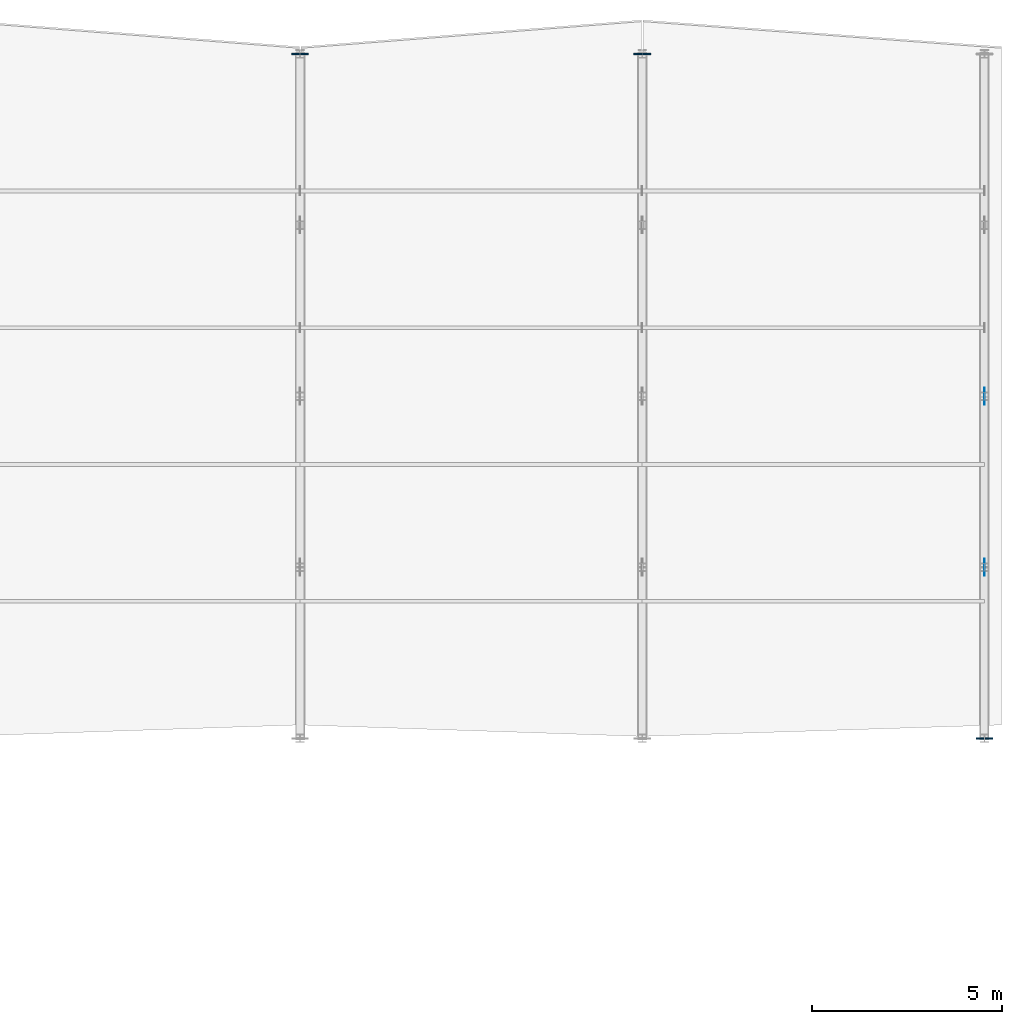
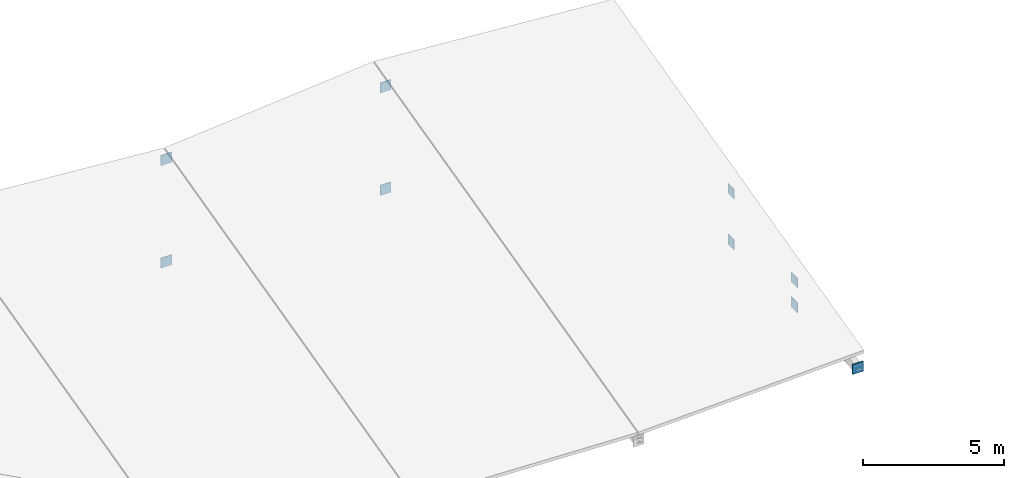
# One storey, part 27 of 36: 9 plates.
"""IFC4 building model written with IfcOpenShell, lengths in metres."""

from ifc_helpers import new_model, si_unit, direction, frame, origin, origin_2d, place, context, subcontext, project, spatial, rectangle, extrude, material, layer, layer_set, type_object, element, save


model = new_model("IFC4")

# Units and contexts
model_context = context("Model", 3, precision=1e-05, world=origin(), true_north=direction((0.0, 1.0)))
body_context = subcontext(model_context, "Body", "Model", "MODEL_VIEW")
ifc_project = project(units=[si_unit("LENGTHUNIT", "METRE"), si_unit("AREAUNIT", "SQUARE_METRE"), si_unit("VOLUMEUNIT", "CUBIC_METRE"), si_unit("PLANEANGLEUNIT", "RADIAN"), si_unit("MASSUNIT", "GRAM", prefix="KILO")], contexts=[model_context])

# Site, building, storey
site_placement = place(None, origin())
site = spatial("IfcSite", under=ifc_project, at=site_placement, CompositionType="ELEMENT")
building_placement = place(site_placement, origin())
building = spatial("IfcBuilding", under=site, at=building_placement, Name="Montelvaro Courts of Justice", CompositionType="ELEMENT")
storey_placement = place(building_placement, frame((0.0, 0.0, 23.39990234375)))
storey = spatial("IfcBuildingStorey", under=building, at=storey_placement, Name="L05", CompositionType="ELEMENT", Elevation=23.39990234375)

# Plates
ifc_material = material(Name="Steel S355", Category="steel")
ifc_layer_1 = layer(ifc_material, 0.035888671875)
ifc_layer_set_1 = layer_set([ifc_layer_1], Name="Steel S355")
plate_type_1 = type_object("IfcPlateType", Name="EndCapPlate_36", PredefinedType="USERDEFINED", material=ifc_layer_set_1)
for number, where, z_axis, x_axis, name in (
    (1, (144.0, 96.0, -0.519775390625), (0.0, 0.0, 1.0), (1.0, 0.0, 0.0), "Roof Truss End Cap Plate CP-02 ROOF-V2-VTR06-B1"),
    (2, (144.0, 96.0, 3.93017578125), (0.0, 0.0, 1.0), (1.0, 0.0, 0.0), "Roof Truss End Cap Plate CP-02 ROOF-V2-VTR06-T1"),
    (3, (153.0, 96.0, -0.519775390625), (0.0, 0.0, 1.0), (1.0, 0.0, 0.0), "Roof Truss End Cap Plate CP-02 ROOF-V2-VTR07-B1"),
    (4, (153.0, 96.0, 3.93017578125), (0.0, 0.0, 1.0), (1.0, 0.0, 0.0), "Roof Truss End Cap Plate CP-02 ROOF-V2-VTR07-T1"),
    (5, (162.0, 78.0, -0.519775390625), (0.0, 0.0, 1.0), (1.0, 0.0, 0.0), "Roof Truss End Cap Plate CP-02 ROOF-V2-VTR08-B0"),
):
    element("IfcPlate", number, at=place(storey_placement, frame(where, z_axis=z_axis, x_axis=x_axis)), inside=storey, type_object=plate_type_1, Name=name, ObjectType="GUSSET PLATE", PredefinedType="USERDEFINED", context=body_context, shape_type="SweptSolid", body=[
        extrude(rectangle(XDim=0.43994140625, YDim=0.035888671875, at=origin_2d()), origin(), (0.0, 0.0, 1.0), 0.43994140625),
    ])
ifc_layer_2 = layer(ifc_material, 0.02001953125)
ifc_layer_set_2 = layer_set([ifc_layer_2], Name="Steel S355")
plate_type_2 = type_object("IfcPlateType", Name="GussetPlate_20", PredefinedType="USERDEFINED", material=ifc_layer_set_2)
for number, where, z_axis, x_axis, name in (
    (6, (162.0, 82.5, -0.519775390625), (0.0, 0.0, 1.0), (1.0, 0.0, 0.0), "Roof Truss Gusset Plate GP-01 ROOF-V2-VTR08-1B"),
    (7, (162.0, 82.5, 0.55517578125), (0.0, 0.0, 1.0), (1.0, 0.0, 0.0), "Roof Truss Gusset Plate GP-01 ROOF-V2-VTR08-1T"),
    (8, (162.0, 87.0, -0.519775390625), (0.0, 0.0, 1.0), (1.0, 0.0, 0.0), "Roof Truss Gusset Plate GP-01 ROOF-V2-VTR08-2B"),
    (9, (162.0, 87.0, 1.68017578125), (0.0, 0.0, 1.0), (1.0, 0.0, 0.0), "Roof Truss Gusset Plate GP-01 ROOF-V2-VTR08-2T"),
):
    element("IfcPlate", number, at=place(storey_placement, frame(where, z_axis=z_axis, x_axis=x_axis)), inside=storey, type_object=plate_type_2, Name=name, ObjectType="GUSSET PLATE", PredefinedType="USERDEFINED", context=body_context, shape_type="SweptSolid", body=[
        extrude(rectangle(XDim=0.02001953125, YDim=0.43994140625, at=origin_2d()), origin(), (0.0, 0.0, 1.0), 0.43994140625),
    ])

save(model, "model.ifc")
